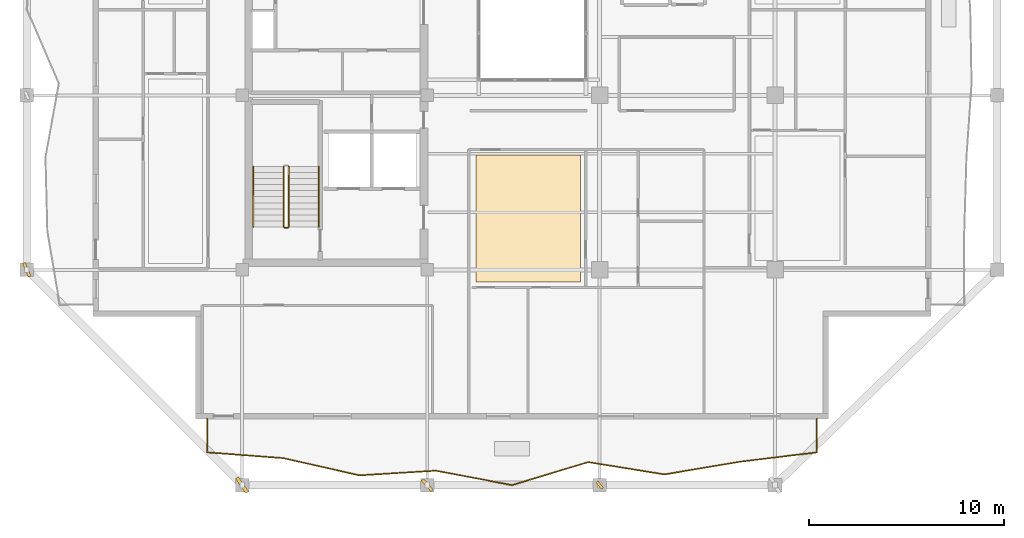
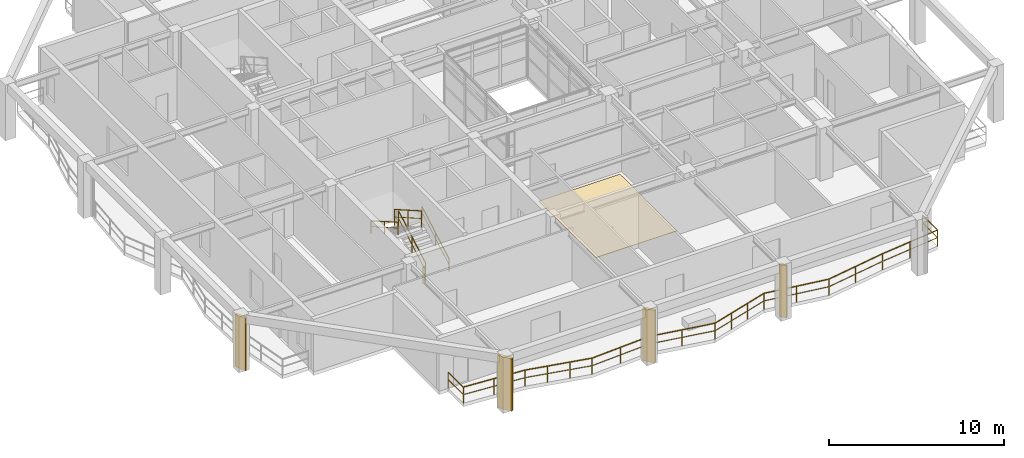
# One storey, part 11 of 15: 6 railings, 4 shading devices, 1 covering.
"""IFC4 building model written with IfcOpenShell, lengths in metres."""

import ifcopenshell
import ifcopenshell.guid

model = None  # the IFC model being written
_history = None  # IfcOwnerHistory: only IFC2X3 demands one
_inside = {}  # id of a spatial element -> (the spatial element, [elements in it])
_under = {}  # id of a project, library or spatial element -> (it, [spatial elements below it])
_declared = {}  # id of a project -> (the project, [libraries it declares])
_typed = {}  # id of a type object -> (the type object, [elements of that type])
_made_of = {}  # id of a material, layer set ... -> (it, [elements and type objects made of it])


def new_model(schema):
    """Start an empty IFC model of exactly this schema.

    Asked for "IFC4X3", IfcOpenShell would pick the latest addendum, in which some entities
    have other attributes; the version numbers below select the first issue.
    IFC2X3 requires an IfcOwnerHistory on every rooted entity: one is made here for all.
    """
    global model, _history
    if schema == "IFC4X3":
        model = ifcopenshell.file(schema_version=(4, 3, 0, 0))
    else:
        model = ifcopenshell.file(schema=schema)
    _inside.clear()
    _under.clear()
    _declared.clear()
    _typed.clear()
    _made_of.clear()
    _history = None
    if model.schema == "IFC2X3":
        org = make("IfcOrganization", Name="unknown")
        user = make(
            "IfcPersonAndOrganization",
            ThePerson=make("IfcPerson", FamilyName="unknown"),
            TheOrganization=org,
        )
        app = make(
            "IfcApplication",
            ApplicationDeveloper=org,
            Version="unknown",
            ApplicationFullName="unknown",
            ApplicationIdentifier="unknown",
        )
        _history = make(
            "IfcOwnerHistory",
            OwningUser=user,
            OwningApplication=app,
            ChangeAction="ADDED",
            CreationDate=0,
        )
    return model


def make(cls, **values):
    """One entity of the class cls with the attributes given. An attribute that is None is left unset."""
    return model.create_entity(
        cls, **{name: value for name, value in values.items() if value is not None}
    )


def rooted(cls, **values):
    """An entity with a GlobalId (a new one), such as an element, a storey or a relation."""
    return make(cls, GlobalId=ifcopenshell.guid.new(), OwnerHistory=_history, **values)


def si_unit(unit_type, name, prefix=None):
    """IfcSIUnit, for example si_unit("LENGTHUNIT", "METRE", prefix="MILLI")."""
    return make("IfcSIUnit", UnitType=unit_type, Prefix=prefix, Name=name)


def assignment(units):
    """IfcUnitAssignment: the units of a project."""
    return None if units is None else make("IfcUnitAssignment", Units=units)


def point(xyz):
    """IfcCartesianPoint."""
    return None if xyz is None else make("IfcCartesianPoint", Coordinates=xyz)


def direction(xyz):
    """IfcDirection."""
    return None if xyz is None else make("IfcDirection", DirectionRatios=xyz)


def frame(location, z_axis=None, x_axis=None):
    """IfcAxis2Placement3D, a coordinate frame: its origin and axes. An axis left out is left unset."""
    return make(
        "IfcAxis2Placement3D",
        Location=point(location),
        Axis=direction(z_axis),
        RefDirection=direction(x_axis),
    )


def frame_2d(location, x_axis=None):
    """IfcAxis2Placement2D, a coordinate frame in the plane: its origin and x axis."""
    return make(
        "IfcAxis2Placement2D", Location=point(location), RefDirection=direction(x_axis)
    )


def origin():
    """The frame at (0, 0, 0) with its axes left unset."""
    return frame((0.0, 0.0, 0.0))


def origin_2d():
    """The frame at (0, 0) in the plane with its x axis left unset."""
    return frame_2d((0.0, 0.0))


def place(relative_to, where):
    """IfcLocalPlacement: puts the frame where relative to a parent placement (None: the world)."""
    return make(
        "IfcLocalPlacement", PlacementRelTo=relative_to, RelativePlacement=where
    )


def context(
    kind, dimensions, precision=None, world=None, true_north=None, identifier=None
):
    """IfcGeometricRepresentationContext, for example the 3D "Model" context."""
    return make(
        "IfcGeometricRepresentationContext",
        ContextIdentifier=identifier,
        ContextType=kind,
        CoordinateSpaceDimension=dimensions,
        Precision=precision,
        WorldCoordinateSystem=world,
        TrueNorth=true_north,
    )


def subcontext(parent, identifier, kind, view, scale=None):
    """IfcGeometricRepresentationSubContext, for example "Body" below "Model"."""
    return make(
        "IfcGeometricRepresentationSubContext",
        ContextIdentifier=identifier,
        ContextType=kind,
        ParentContext=parent,
        TargetScale=scale,
        TargetView=view,
    )


def project(units=None, contexts=None):
    """IfcProject with its units and contexts."""
    return rooted(
        "IfcProject",
        Name="project",
        RepresentationContexts=contexts,
        UnitsInContext=assignment(units),
    )


def spatial(cls, under=None, at=None, **own):
    """A site, building, storey or space (cls), placed at a placement, below another one or the project."""
    s = rooted(cls, ObjectPlacement=at, **own)
    if under is not None:
        _under.setdefault(under.id(), (under, []))[1].append(s)
    return s


def polyline(points):
    """IfcPolyline through the points."""
    return make("IfcPolyline", Points=[point(p) for p in points])


def profile(cls, at=None, kind="AREA", **sizes):
    """A parametric profile (cls). Its sizes go by their IFC names, for example OverallWidth=200.0."""
    return make(cls, ProfileType=kind, Position=at, **sizes)


def rectangle(**sizes):
    """IfcRectangleProfileDef."""
    return profile("IfcRectangleProfileDef", **sizes)


def outline(outer, holes=None, kind="AREA"):
    """IfcArbitraryClosedProfileDef: a profile drawn as a closed curve; with holes, ...WithVoids."""
    if holes is None:
        return make("IfcArbitraryClosedProfileDef", ProfileType=kind, OuterCurve=outer)
    return make(
        "IfcArbitraryProfileDefWithVoids",
        ProfileType=kind,
        OuterCurve=outer,
        InnerCurves=holes,
    )


def extrude(swept, where, along, depth):
    """IfcExtrudedAreaSolid: the profile swept, set in the frame where, extruded along a direction by depth."""
    return make(
        "IfcExtrudedAreaSolid",
        SweptArea=swept,
        Position=where,
        ExtrudedDirection=direction(along),
        Depth=depth,
    )


def shape(context_of_items, identifier, shape_type, items):
    """IfcShapeRepresentation: the items that make up one representation, for example the "Body"."""
    return make(
        "IfcShapeRepresentation",
        ContextOfItems=context_of_items,
        RepresentationIdentifier=identifier,
        RepresentationType=shape_type,
        Items=items,
    )


def material(Name=None, Category=None):
    """IfcMaterial."""
    return make("IfcMaterial", Name=Name, Category=Category)


def layer(
    of_material, thickness, ventilated=None, Name=None, Category=None, Priority=None
):
    """IfcMaterialLayer: one layer of a wall or slab, of a material (None: an air gap)."""
    return make(
        "IfcMaterialLayer",
        Material=of_material,
        LayerThickness=thickness,
        IsVentilated=ventilated,
        Name=Name,
        Category=Category,
        Priority=Priority,
    )


def layer_set(layers, Name=None):
    """IfcMaterialLayerSet."""
    return make("IfcMaterialLayerSet", MaterialLayers=layers, LayerSetName=Name)


def made_of(thing, what):
    """Note that an element or type object is made of a material, layer set ...; save() writes the relation."""
    if what is not None:
        _made_of.setdefault(what.id(), (what, []))[1].append(thing)
    return thing


def type_object(cls, material=None, **own):
    """A type object (cls), such as IfcWallType, which elements share."""
    return made_of(rooted(cls, **own), material)


def element(
    cls,
    number,
    at=None,
    inside=None,
    cuts=None,
    type_object=None,
    material=None,
    context=None,
    identifier="Body",
    shape_type=None,
    held_by="IfcProductDefinitionShape",
    body=None,
    shapes=None,
    **own,
):
    """One element of the class cls, such as IfcWall. Its Tag is "e" and its number.

    at: its placement. inside: the storey or other place that contains it. cuts: it is an
    opening in that element (IfcRelVoidsElement). A single representation is given by context,
    identifier, shape_type and body (its items); several are given by shapes. held_by: the class
    of the entity that holds the representations. save() writes the other relations.
    """
    e = rooted(cls, Tag="e%d" % number, ObjectPlacement=at, **own)
    if body is not None:
        shapes = [shape(context, identifier, shape_type, body)]
    if shapes is not None:
        e.Representation = make(held_by, Representations=shapes)
    if inside is not None:
        _inside.setdefault(inside.id(), (inside, []))[1].append(e)
    if cuts is not None:
        rooted(
            "IfcRelVoidsElement", RelatingBuildingElement=cuts, RelatedOpeningElement=e
        )
    if type_object is not None:
        _typed.setdefault(type_object.id(), (type_object, []))[1].append(e)
    return made_of(e, material)


def aggregate(whole, parts):
    """IfcRelAggregates: a whole, such as a stair, and the parts it consists of."""
    return rooted("IfcRelAggregates", RelatingObject=whole, RelatedObjects=parts)


def save(model, path):
    """Write the relations noted so far, then the file.

    IfcRelAggregates (storeys below a building ...), IfcRelContainedInSpatialStructure (elements
    in a storey), IfcRelDefinesByType, IfcRelAssociatesMaterial and IfcRelDeclares: one each for
    every whole, place, type object, material and project.
    """
    for whole, parts in _under.values():
        aggregate(whole, parts)
    for where, things in _inside.values():
        rooted(
            "IfcRelContainedInSpatialStructure",
            RelatedElements=things,
            RelatingStructure=where,
        )
    for kind, things in _typed.values():
        rooted("IfcRelDefinesByType", RelatedObjects=things, RelatingType=kind)
    for what, things in _made_of.values():
        rooted("IfcRelAssociatesMaterial", RelatedObjects=things, RelatingMaterial=what)
    for by, libraries in _declared.values():
        rooted("IfcRelDeclares", RelatingContext=by, RelatedDefinitions=libraries)
    model.write(path)


model = new_model("IFC4")

# Units and contexts
model_context = context("Model", 3, precision=1e-05, world=origin(), true_north=direction((0.0, 1.0)))
body_context = subcontext(model_context, "Body", "Model", "MODEL_VIEW")
ifc_project = project(units=[si_unit("LENGTHUNIT", "METRE"), si_unit("AREAUNIT", "SQUARE_METRE"), si_unit("VOLUMEUNIT", "CUBIC_METRE"), si_unit("PLANEANGLEUNIT", "RADIAN"), si_unit("MASSUNIT", "GRAM", prefix="KILO")], contexts=[model_context])

# Site, building, storey
site_placement = place(None, origin())
site = spatial("IfcSite", under=ifc_project, at=site_placement, CompositionType="ELEMENT")
building_placement = place(site_placement, origin())
building = spatial("IfcBuilding", under=site, at=building_placement, Name="Kundavana Baori Tower", CompositionType="ELEMENT")
storey_placement = place(building_placement, frame((0.0, 0.0, 214.10009765625)))
storey = spatial("IfcBuildingStorey", under=building, at=storey_placement, Name="L52", CompositionType="ELEMENT", Elevation=214.10009765625)

# Covering
ifc_material_1 = material(Name="Honed Kota Stone and Terrazzo Flooring", Category="masonry")
ifc_layer = layer(ifc_material_1, 0.030029296875, Name="COV-INT-FLR")
ifc_layer_set = layer_set([ifc_layer], Name="Honed Kota Stone and Terrazzo Flooring")
covering_type = type_object("IfcCoveringType", Name="COV-INT-FLR", PredefinedType="FLOORING", material=ifc_layer_set)
covering_placement = place(storey_placement, origin())
element("IfcCovering", 1, at=covering_placement, inside=storey, type_object=covering_type, Name="L52 Room Finished Stone Flooring 3", PredefinedType="FLOORING", context=body_context, shape_type="SweptSolid", body=[
    extrude(outline(polyline([(27.43994140625, 14.6201171875), (32.81005859375, 14.6201171875), (32.81005859375, 21.139892578125), (27.43994140625, 21.139892578125), (27.43994140625, 14.6201171875)])), origin(), (0.0, 0.0, 1.0), 0.02978515625),
])

# Railings
ifc_material_2 = material(Name="Architectural Patinated Bronze Metalwork")
railing_type_1 = type_object("IfcRailingType", Name="RL-BAL-1150", PredefinedType="BALUSTRADE", material=ifc_material_2)
railing_1_placement = place(storey_placement, frame((44.949951171875, 7.60009765625, 0.0)))
element("IfcRailing", 2, at=railing_1_placement, inside=storey, type_object=railing_type_1, Name="L52 Loggia Balcony Balustrade S", PredefinedType="BALUSTRADE", context=body_context, shape_type="SweptSolid", body=[
    extrude(rectangle(XDim=0.048095703125, YDim=0.048095703125, at=origin_2d()), frame((0.0, 0.0, 1.1259765625), z_axis=(0.0, -1.0, 0.0), x_axis=(1.0, 0.0, 0.0)), (0.0, 0.0, 1.0), 1.72021484375),
    extrude(rectangle(XDim=0.03125, YDim=0.03125, at=origin_2d()), frame((0.0, 0.0, 0.597900390625), z_axis=(0.0, -1.0, 0.0), x_axis=(1.0, 0.0, 0.0)), (0.0, 0.0, 1.0), 1.72021484375),
    extrude(rectangle(XDim=0.048095703125, YDim=0.048095703125, at=origin_2d()), frame((0.0, -1.72021484375, 1.1259765625), z_axis=(-0.992683234767, -0.120747651786, 0.0), x_axis=(0.120747651786, -0.992683234767, 0.0)), (0.0, 0.0, 1.0), 3.940673828125),
    extrude(rectangle(XDim=0.03125, YDim=0.03125, at=origin_2d()), frame((0.0, -1.72021484375, 0.597900390625), z_axis=(-0.992683234767, -0.120747651786, 0.0), x_axis=(0.120747651786, -0.992683234767, 0.0)), (0.0, 0.0, 1.0), 3.940673828125),
    extrude(rectangle(XDim=0.048095703125, YDim=0.048095703125, at=origin_2d()), frame((-3.911865234375, -2.196044921875, 1.1259765625), z_axis=(-0.986156775213, -0.165815604517, 0.0), x_axis=(0.165815604517, -0.986156775213, 0.0)), (0.0, 0.0, 1.0), 3.968017578125),
    extrude(rectangle(XDim=0.03125, YDim=0.03125, at=origin_2d()), frame((-3.911865234375, -2.196044921875, 0.597900390625), z_axis=(-0.986156775213, -0.165815604517, 0.0), x_axis=(0.165815604517, -0.986156775213, 0.0)), (0.0, 0.0, 1.0), 3.968017578125),
    extrude(rectangle(XDim=0.048095703125, YDim=0.048095703125, at=origin_2d()), frame((-7.824951171875, -2.85400390625, 1.1259765625), z_axis=(-0.987246119047, 0.159201446057, 0.0), x_axis=(-0.159201446057, -0.987246119047, 0.0)), (0.0, 0.0, 1.0), 3.962646484375),
    extrude(rectangle(XDim=0.03125, YDim=0.03125, at=origin_2d()), frame((-7.824951171875, -2.85400390625, 0.597900390625), z_axis=(-0.987246119047, 0.159201446057, 0.0), x_axis=(-0.159201446057, -0.987246119047, 0.0)), (0.0, 0.0, 1.0), 3.962646484375),
    extrude(rectangle(XDim=0.048095703125, YDim=0.048095703125, at=origin_2d()), frame((-11.737060546875, -2.22314453125, 1.1259765625), z_axis=(-0.957613884145, -0.288054940754, 0.0), x_axis=(0.288054940754, -0.957613884145, 0.0)), (0.0, 0.0, 1.0), 4.0859375),
    extrude(rectangle(XDim=0.03125, YDim=0.03125, at=origin_2d()), frame((-11.737060546875, -2.22314453125, 0.597900390625), z_axis=(-0.957613884145, -0.288054940754, 0.0), x_axis=(0.288054940754, -0.957613884145, 0.0)), (0.0, 0.0, 1.0), 4.0859375),
    extrude(rectangle(XDim=0.048095703125, YDim=0.048095703125, at=origin_2d()), frame((-15.64990234375, -3.400146484375, 1.1259765625), z_axis=(-0.982666080479, 0.185384395987, 0.0), x_axis=(-0.185384395987, -0.982666080479, 0.0)), (0.0, 0.0, 1.0), 3.981201171875),
    extrude(rectangle(XDim=0.03125, YDim=0.03125, at=origin_2d()), frame((-15.64990234375, -3.400146484375, 0.597900390625), z_axis=(-0.982666080479, 0.185384395987, 0.0), x_axis=(-0.185384395987, -0.982666080479, 0.0)), (0.0, 0.0, 1.0), 3.981201171875),
    extrude(rectangle(XDim=0.048095703125, YDim=0.048095703125, at=origin_2d()), frame((-19.56201171875, -2.662109375, 1.1259765625), z_axis=(-0.998124360554, -0.061218958409, 0.0), x_axis=(0.061218958409, -0.998124360554, 0.0)), (0.0, 0.0, 1.0), 3.920166015625),
    extrude(rectangle(XDim=0.03125, YDim=0.03125, at=origin_2d()), frame((-19.56201171875, -2.662109375, 0.597900390625), z_axis=(-0.998124360554, -0.061218958409, 0.0), x_axis=(0.061218958409, -0.998124360554, 0.0)), (0.0, 0.0, 1.0), 3.920166015625),
    extrude(rectangle(XDim=0.048095703125, YDim=0.048095703125, at=origin_2d()), frame((-23.474853515625, -2.902099609375, 1.1259765625), z_axis=(-0.975417798649, 0.220363604249, 0.0), x_axis=(-0.220363604249, -0.975417798649, 0.0)), (0.0, 0.0, 1.0), 4.01171875),
    extrude(rectangle(XDim=0.03125, YDim=0.03125, at=origin_2d()), frame((-23.474853515625, -2.902099609375, 0.597900390625), z_axis=(-0.975417798649, 0.220363604249, 0.0), x_axis=(-0.220363604249, -0.975417798649, 0.0)), (0.0, 0.0, 1.0), 4.01171875),
    extrude(rectangle(XDim=0.048095703125, YDim=0.048095703125, at=origin_2d()), frame((-27.387939453125, -2.01806640625, 1.1259765625), z_axis=(-0.997114210173, 0.075916084399, 0.0), x_axis=(-0.075916084399, -0.997114210173, 0.0)), (0.0, 0.0, 1.0), 3.92333984375),
    extrude(rectangle(XDim=0.03125, YDim=0.03125, at=origin_2d()), frame((-27.387939453125, -2.01806640625, 0.597900390625), z_axis=(-0.997114210173, 0.075916084399, 0.0), x_axis=(-0.075916084399, -0.997114210173, 0.0)), (0.0, 0.0, 1.0), 3.92333984375),
    extrude(rectangle(XDim=0.048095703125, YDim=0.048095703125, at=origin_2d()), frame((-31.300048828125, -1.72021484375, 1.1259765625), z_axis=(0.0, 1.0, 0.0), x_axis=(-1.0, 0.0, 0.0)), (0.0, 0.0, 1.0), 1.72021484375),
    extrude(rectangle(XDim=0.03125, YDim=0.03125, at=origin_2d()), frame((-31.300048828125, -1.72021484375, 0.597900390625), z_axis=(0.0, 1.0, 0.0), x_axis=(-1.0, 0.0, 0.0)), (0.0, 0.0, 1.0), 1.72021484375),
    extrude(rectangle(XDim=0.0419921875, YDim=0.0419921875, at=origin_2d()), origin(), (0.0, 0.0, 1.0), 1.101806640625),
    extrude(rectangle(XDim=0.0419921875, YDim=0.0419921875, at=origin_2d()), frame((0.0, -1.72021484375, 0.0)), (0.0, 0.0, 1.0), 1.101806640625),
    extrude(rectangle(XDim=0.0419921875, YDim=0.0419921875, at=origin_2d()), frame((-1.9560546875, -1.9580078125, 0.0)), (0.0, 0.0, 1.0), 1.101806640625),
    extrude(rectangle(XDim=0.0419921875, YDim=0.0419921875, at=origin_2d()), frame((-3.911865234375, -2.196044921875, 0.0)), (0.0, 0.0, 1.0), 1.101806640625),
    extrude(rectangle(XDim=0.0419921875, YDim=0.0419921875, at=origin_2d()), frame((-5.868408203125, -2.52490234375, 0.0)), (0.0, 0.0, 1.0), 1.101806640625),
    extrude(rectangle(XDim=0.0419921875, YDim=0.0419921875, at=origin_2d()), frame((-7.824951171875, -2.85400390625, 0.0)), (0.0, 0.0, 1.0), 1.101806640625),
    extrude(rectangle(XDim=0.0419921875, YDim=0.0419921875, at=origin_2d()), frame((-9.781005859375, -2.53857421875, 0.0)), (0.0, 0.0, 1.0), 1.101806640625),
    extrude(rectangle(XDim=0.0419921875, YDim=0.0419921875, at=origin_2d()), frame((-11.737060546875, -2.22314453125, 0.0)), (0.0, 0.0, 1.0), 1.101806640625),
    extrude(rectangle(XDim=0.0419921875, YDim=0.0419921875, at=origin_2d()), frame((-13.041259765625, -2.615478515625, 0.0)), (0.0, 0.0, 1.0), 1.101806640625),
    extrude(rectangle(XDim=0.0419921875, YDim=0.0419921875, at=origin_2d()), frame((-14.345703125, -3.0078125, 0.0)), (0.0, 0.0, 1.0), 1.101806640625),
    extrude(rectangle(XDim=0.0419921875, YDim=0.0419921875, at=origin_2d()), frame((-15.64990234375, -3.400146484375, 0.0)), (0.0, 0.0, 1.0), 1.101806640625),
    extrude(rectangle(XDim=0.0419921875, YDim=0.0419921875, at=origin_2d()), frame((-17.60595703125, -3.03125, 0.0)), (0.0, 0.0, 1.0), 1.101806640625),
    extrude(rectangle(XDim=0.0419921875, YDim=0.0419921875, at=origin_2d()), frame((-19.56201171875, -2.662109375, 0.0)), (0.0, 0.0, 1.0), 1.101806640625),
    extrude(rectangle(XDim=0.0419921875, YDim=0.0419921875, at=origin_2d()), frame((-21.5185546875, -2.7822265625, 0.0)), (0.0, 0.0, 1.0), 1.101806640625),
    extrude(rectangle(XDim=0.0419921875, YDim=0.0419921875, at=origin_2d()), frame((-23.474853515625, -2.902099609375, 0.0)), (0.0, 0.0, 1.0), 1.101806640625),
    extrude(rectangle(XDim=0.0419921875, YDim=0.0419921875, at=origin_2d()), frame((-24.779296875, -2.607421875, 0.0)), (0.0, 0.0, 1.0), 1.101806640625),
    extrude(rectangle(XDim=0.0419921875, YDim=0.0419921875, at=origin_2d()), frame((-26.08349609375, -2.312744140625, 0.0)), (0.0, 0.0, 1.0), 1.101806640625),
    extrude(rectangle(XDim=0.0419921875, YDim=0.0419921875, at=origin_2d()), frame((-27.387939453125, -2.01806640625, 0.0)), (0.0, 0.0, 1.0), 1.101806640625),
    extrude(rectangle(XDim=0.0419921875, YDim=0.0419921875, at=origin_2d()), frame((-29.343994140625, -1.869140625, 0.0)), (0.0, 0.0, 1.0), 1.101806640625),
    extrude(rectangle(XDim=0.0419921875, YDim=0.0419921875, at=origin_2d()), frame((-31.300048828125, -1.72021484375, 0.0)), (0.0, 0.0, 1.0), 1.101806640625),
    extrude(rectangle(XDim=0.0419921875, YDim=0.0419921875, at=origin_2d()), frame((-31.300048828125, 0.0, 0.0)), (0.0, 0.0, 1.0), 1.101806640625),
])
ifc_material_3 = material(Name="Architectural Patinated Bronze Metalwork")
railing_type_2 = type_object("IfcRailingType", Name="RL-GRD-1150", PredefinedType="GUARDRAIL", material=ifc_material_3)
railing_2_placement = place(storey_placement, frame((17.840087890625, 17.449951171875, 0.17724609375)))
element("IfcRailing", 3, at=railing_2_placement, inside=storey, type_object=railing_type_2, Name="L52 ST1 stair guard 1", PredefinedType="GUARDRAIL", context=body_context, shape_type="SweptSolid", body=[
    extrude(rectangle(XDim=0.048095703125, YDim=0.048095703125, at=origin_2d()), frame((0.0, 0.0, 1.1259765625), z_axis=(0.0, 0.868095856688, 0.496396599103), x_axis=(-1.0, 0.0, 0.0)), (0.0, 0.0, 1.0), 3.571044921875),
    extrude(rectangle(XDim=0.03125, YDim=0.03125, at=origin_2d()), frame((0.0, 0.0, 0.597900390625), z_axis=(0.0, 0.868095856688, 0.496396599103), x_axis=(-1.0, 0.0, 0.0)), (0.0, 0.0, 1.0), 3.571044921875),
    extrude(rectangle(XDim=0.0419921875, YDim=0.0419921875, at=origin_2d()), origin(), (0.0, 0.0, 1.0), 1.101806640625),
    extrude(rectangle(XDim=0.0419921875, YDim=0.0419921875, at=origin_2d()), frame((0.0, 1.550048828125, 0.88623046875)), (0.0, 0.0, 1.0), 1.101806640625),
    extrude(rectangle(XDim=0.0419921875, YDim=0.0419921875, at=origin_2d()), frame((0.0, 3.10009765625, 1.772705078125)), (0.0, 0.0, 1.0), 1.101806640625),
])
railing_3_placement = place(storey_placement, frame((17.580078125, 20.550048828125, 2.127197265625)))
element("IfcRailing", 4, at=railing_3_placement, inside=storey, type_object=railing_type_2, Name="L52 ST1 stair guard 3", PredefinedType="GUARDRAIL", context=body_context, shape_type="SweptSolid", body=[
    extrude(rectangle(XDim=0.048095703125, YDim=0.048095703125, at=origin_2d()), frame((0.0, 0.0, 1.1259765625), z_axis=(0.0, -0.868095856688, 0.496396599103), x_axis=(1.0, 0.0, 0.0)), (0.0, 0.0, 1.0), 3.571044921875),
    extrude(rectangle(XDim=0.03125, YDim=0.03125, at=origin_2d()), frame((0.0, 0.0, 0.597900390625), z_axis=(0.0, -0.868095856688, 0.496396599103), x_axis=(1.0, 0.0, 0.0)), (0.0, 0.0, 1.0), 3.571044921875),
    extrude(rectangle(XDim=0.0419921875, YDim=0.0419921875, at=origin_2d()), origin(), (0.0, 0.0, 1.0), 1.101806640625),
    extrude(rectangle(XDim=0.0419921875, YDim=0.0419921875, at=origin_2d()), frame((0.0, -1.550048828125, 0.88623046875)), (0.0, 0.0, 1.0), 1.101806640625),
    extrude(rectangle(XDim=0.0419921875, YDim=0.0419921875, at=origin_2d()), frame((0.0, -3.10009765625, 1.772705078125)), (0.0, 0.0, 1.0), 1.101806640625),
])
railing_4_placement = place(storey_placement, frame((17.7900390625, 17.39990234375, 0.0)))
element("IfcRailing", 5, at=railing_4_placement, inside=storey, type_object=railing_type_2, Name="L52 ST1 stair guard 4", PredefinedType="GUARDRAIL", context=body_context, shape_type="SweptSolid", body=[
    extrude(rectangle(XDim=0.048095703125, YDim=0.048095703125, at=origin_2d()), frame((0.0, 0.0, 1.1259765625), z_axis=(-1.0, 0.0, 0.0), x_axis=(0.0, -1.0, 0.0)), (0.0, 0.0, 1.0), 0.16015625),
    extrude(rectangle(XDim=0.03125, YDim=0.03125, at=origin_2d()), frame((0.0, 0.0, 0.597900390625), z_axis=(-1.0, 0.0, 0.0), x_axis=(0.0, -1.0, 0.0)), (0.0, 0.0, 1.0), 0.16015625),
    extrude(rectangle(XDim=0.0419921875, YDim=0.0419921875, at=origin_2d()), origin(), (0.0, 0.0, 1.0), 1.101806640625),
    extrude(rectangle(XDim=0.0419921875, YDim=0.0419921875, at=origin_2d()), frame((-0.16015625, 0.0, 0.0)), (0.0, 0.0, 1.0), 1.101806640625),
])
ifc_material_4 = material(Name="Architectural Patinated Bronze Metalwork")
railing_type_3 = type_object("IfcRailingType", Name="RL-HND-920", PredefinedType="HANDRAIL", material=ifc_material_4)
railing_5_placement = place(storey_placement, frame((19.389892578125, 17.449951171875, 0.17724609375)))
element("IfcRailing", 6, at=railing_5_placement, inside=storey, type_object=railing_type_3, Name="L52 ST1 stair handrail 1", PredefinedType="HANDRAIL", context=body_context, shape_type="SweptSolid", body=[
    extrude(rectangle(XDim=0.048095703125, YDim=0.048095703125, at=origin_2d()), frame((0.0, 0.0, 0.8759765625), z_axis=(0.0, 0.868095856688, 0.496396599103), x_axis=(-1.0, 0.0, 0.0)), (0.0, 0.0, 1.0), 3.571044921875),
    extrude(rectangle(XDim=0.03125, YDim=0.03125, at=origin_2d()), frame((0.0, 0.0, 0.468017578125), z_axis=(0.0, 0.868095856688, 0.496396599103), x_axis=(-1.0, 0.0, 0.0)), (0.0, 0.0, 1.0), 3.571044921875),
    extrude(rectangle(XDim=0.0419921875, YDim=0.0419921875, at=origin_2d()), origin(), (0.0, 0.0, 1.0), 0.851806640625),
    extrude(rectangle(XDim=0.0419921875, YDim=0.0419921875, at=origin_2d()), frame((0.0, 1.550048828125, 0.88623046875)), (0.0, 0.0, 1.0), 0.851806640625),
    extrude(rectangle(XDim=0.0419921875, YDim=0.0419921875, at=origin_2d()), frame((0.0, 3.10009765625, 1.772705078125)), (0.0, 0.0, 1.0), 0.851806640625),
])
railing_6_placement = place(storey_placement, frame((16.030029296875, 20.550048828125, 2.127197265625)))
element("IfcRailing", 7, at=railing_6_placement, inside=storey, type_object=railing_type_3, Name="L52 ST1 stair handrail 2", PredefinedType="HANDRAIL", context=body_context, shape_type="SweptSolid", body=[
    extrude(rectangle(XDim=0.048095703125, YDim=0.048095703125, at=origin_2d()), frame((0.0, 0.0, 0.8759765625), z_axis=(0.0, -0.868095856688, 0.496396599103), x_axis=(1.0, 0.0, 0.0)), (0.0, 0.0, 1.0), 3.571044921875),
    extrude(rectangle(XDim=0.03125, YDim=0.03125, at=origin_2d()), frame((0.0, 0.0, 0.468017578125), z_axis=(0.0, -0.868095856688, 0.496396599103), x_axis=(1.0, 0.0, 0.0)), (0.0, 0.0, 1.0), 3.571044921875),
    extrude(rectangle(XDim=0.0419921875, YDim=0.0419921875, at=origin_2d()), origin(), (0.0, 0.0, 1.0), 0.851806640625),
    extrude(rectangle(XDim=0.0419921875, YDim=0.0419921875, at=origin_2d()), frame((0.0, -1.550048828125, 0.88623046875)), (0.0, 0.0, 1.0), 0.851806640625),
    extrude(rectangle(XDim=0.0419921875, YDim=0.0419921875, at=origin_2d()), frame((0.0, -3.10009765625, 1.772705078125)), (0.0, 0.0, 1.0), 0.851806640625),
])

# Shading devices
ifc_material_5 = material(Name="Red-Buff Dholpur Sandstone Cladding on Concrete C40/50", Category="masonry")
shading_device_type_1 = type_object("IfcShadingDeviceType", Name="SHD-FIN-750", PredefinedType="JALOUSIE", material=ifc_material_5)
for number, where, z_axis, x_axis, name in (
    (8, (24.949951171875, 4.199951171875, 0.0), (0.0, 0.0, 1.0), (0.745941145424, 0.666011867434, 0.0), "L52 Sweeping Dholpur Sandstone Facade Fin 2"),
    (9, (4.39990234375, 15.25, 0.0), (0.0, 0.0, 1.0), (0.922874504689, 0.385100829128, 0.0), "L52 Sweeping Dholpur Sandstone Facade Fin 5"),
):
    element("IfcShadingDevice", number, at=place(storey_placement, frame(where, z_axis=z_axis, x_axis=x_axis)), inside=storey, type_object=shading_device_type_1, Name=name, PredefinedType="JALOUSIE", context=body_context, shape_type="SweptSolid", body=[
        extrude(rectangle(XDim=0.159912109375, YDim=0.75, at=origin_2d()), origin(), (0.0, 0.0, 1.0), 3.659912109375),
    ])
ifc_material_6 = material(Name="Red-Buff Dholpur Sandstone Cladding on Concrete C40/50", Category="masonry")
shading_device_type_2 = type_object("IfcShadingDeviceType", Name="SHD-FIN-920", PredefinedType="JALOUSIE", material=ifc_material_6)
shading_device_1_placement = place(storey_placement, frame((15.449951171875, 4.199951171875, 0.0), z_axis=(0.0, 0.0, 1.0), x_axis=(0.814824373094, 0.579707892832, 0.0)))
element("IfcShadingDevice", 10, at=shading_device_1_placement, inside=storey, type_object=shading_device_type_2, Name="L52 Sweeping Dholpur Sandstone Facade Fin 1", PredefinedType="JALOUSIE", context=body_context, shape_type="SweptSolid", body=[
    extrude(rectangle(XDim=0.179931640625, YDim=0.919921875, at=origin_2d()), origin(), (0.0, 0.0, 1.0), 3.659912109375),
])
ifc_material_7 = material(Name="Architectural Patinated Bronze Metalwork")
shading_device_type_3 = type_object("IfcShadingDeviceType", Name="SHD-LOUV-450", PredefinedType="SHUTTER", material=ifc_material_7)
shading_device_2_placement = place(storey_placement, frame((33.800048828125, 4.199951171875, 0.0), z_axis=(0.0, 0.0, 1.0), x_axis=(0.775936321554, 0.630811243474, 0.0)))
element("IfcShadingDevice", 11, at=shading_device_2_placement, inside=storey, type_object=shading_device_type_3, Name="L52 Sweeping Dholpur Sandstone Facade Fin 3", PredefinedType="SHUTTER", context=body_context, shape_type="SweptSolid", body=[
    extrude(rectangle(XDim=0.139892578125, YDim=0.449951171875, at=origin_2d()), origin(), (0.0, 0.0, 1.0), 3.659912109375),
])

save(model, "model.ifc")
